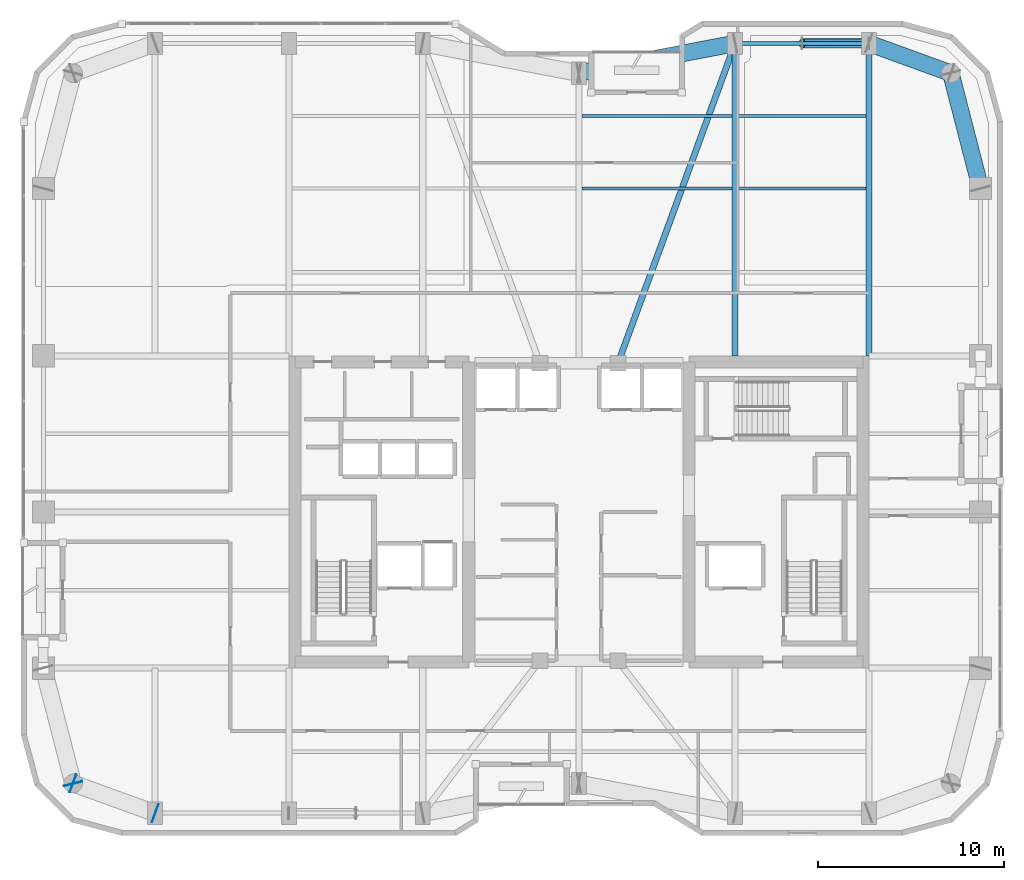
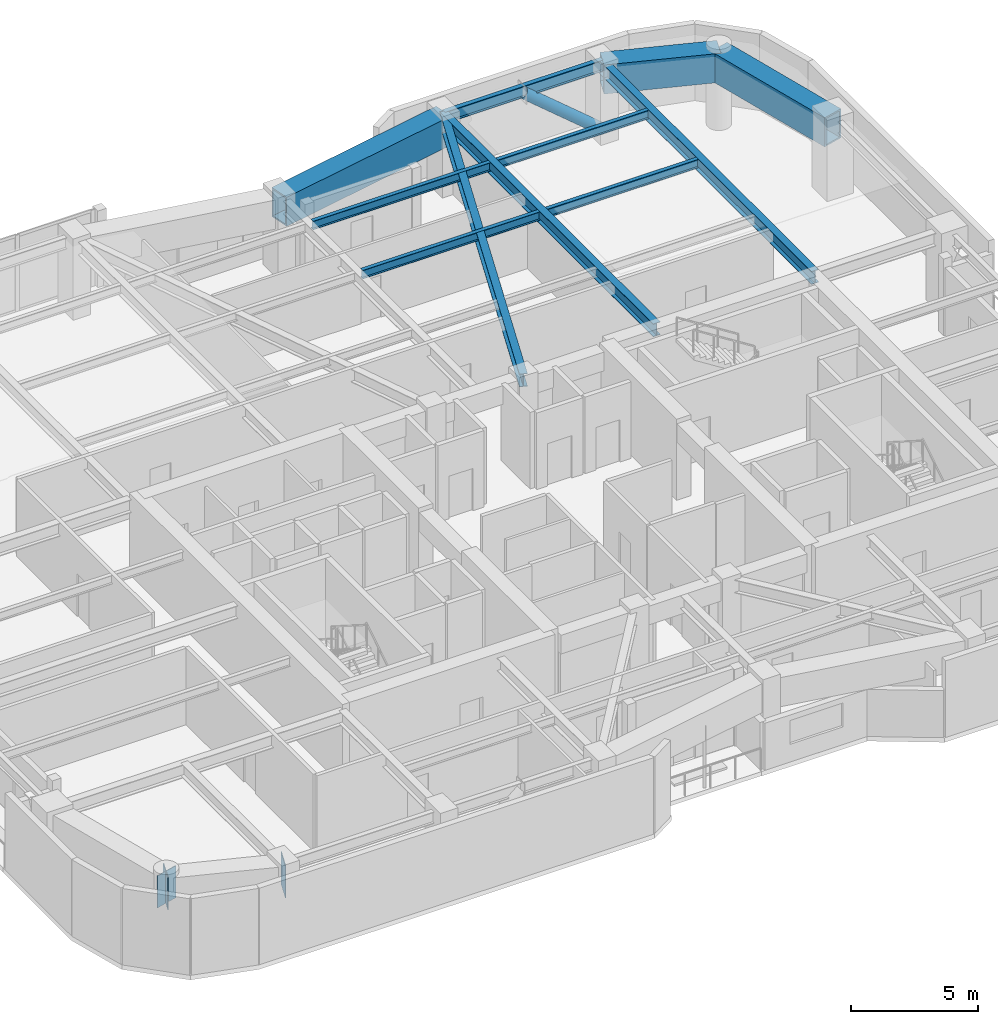
# One storey, part 20 of 30: 11 beams, 3 plates, 1 member.
"""IFC4 building model written with IfcOpenShell, lengths in metres."""

from ifc_helpers import new_model, si_unit, direction, frame, origin, origin_2d, place, context, subcontext, project, spatial, rectangle, hollow_rectangle, hollow_circle, i_section, extrude, material, layer, layer_set, material_profile, profile_set, type_object, element, save


model = new_model("IFC4")

# Units and contexts
model_context = context("Model", 3, precision=1e-05, world=origin(), true_north=direction((0.0, 1.0)))
body_context = subcontext(model_context, "Body", "Model", "MODEL_VIEW")
ifc_project = project(units=[si_unit("LENGTHUNIT", "METRE"), si_unit("AREAUNIT", "SQUARE_METRE"), si_unit("VOLUMEUNIT", "CUBIC_METRE"), si_unit("PLANEANGLEUNIT", "RADIAN"), si_unit("MASSUNIT", "GRAM", prefix="KILO")], contexts=[model_context])

# Site, building, storey
site_placement = place(None, origin())
site = spatial("IfcSite", under=ifc_project, at=site_placement, CompositionType="ELEMENT")
building_placement = place(site_placement, origin())
building = spatial("IfcBuilding", under=site, at=building_placement, Name="Kiyonajd Concourse Tower", CompositionType="ELEMENT")
storey_placement = place(building_placement, frame((0.0, 0.0, 198.0)))
storey = spatial("IfcBuildingStorey", under=building, at=storey_placement, Name="L50", CompositionType="ELEMENT", Elevation=198.0)

# Beams
ifc_material_1 = material(Name="Steel ASTM A992 Grade 50", Category="steel")
ifc_material_profile_1 = material_profile(ifc_material_1, i_section(OverallWidth=0.180908203125, OverallDepth=0.4169921875, WebThickness=0.010986328125, FlangeThickness=0.018310546875, at=origin_2d()), Name="W410X85")
ifc_profile_set_1 = profile_set([ifc_material_profile_1], Name="Steel ASTM A992 Grade 50")
beam_type_1 = type_object("IfcBeamType", Name="BM-JST-410", PredefinedType="JOIST", material=ifc_profile_set_1)
beam_1_placement = place(storey_placement, frame((48.16357421875, 53.39990234375, 3.471435546875), z_axis=(1.0, 0.0, 0.0), x_axis=(0.0, 1.0, 0.0)))
element("IfcBeam", 1, at=beam_1_placement, inside=storey, type_object=beam_type_1, Name="L50 Secondary Floor Joist", PredefinedType="JOIST", context=body_context, shape_type="SweptSolid", body=[
    extrude(i_section(OverallWidth=0.180908203125, OverallDepth=0.4169921875, WebThickness=0.010986328125, FlangeThickness=0.018310546875, at=origin_2d()), origin(), (0.0, 0.0, 1.0), 8.072998046875),
])
beam_2_placement = place(storey_placement, frame((56.5634765625, 53.39990234375, 3.471435546875), z_axis=(1.0, 0.0, 0.0), x_axis=(0.0, 1.0, 0.0)))
element("IfcBeam", 2, at=beam_2_placement, inside=storey, type_object=beam_type_1, Name="L50 Secondary Floor Joist", PredefinedType="JOIST", context=body_context, shape_type="SweptSolid", body=[
    extrude(i_section(OverallWidth=0.180908203125, OverallDepth=0.4169921875, WebThickness=0.010986328125, FlangeThickness=0.018310546875, at=origin_2d()), origin(), (0.0, 0.0, 1.0), 6.873046875),
])
beam_3_placement = place(storey_placement, frame((48.16357421875, 57.300048828125, 3.471435546875), z_axis=(1.0, 0.0, 0.0), x_axis=(0.0, 1.0, 0.0)))
element("IfcBeam", 3, at=beam_3_placement, inside=storey, type_object=beam_type_1, Name="L50 Secondary Floor Joist", PredefinedType="JOIST", context=body_context, shape_type="SweptSolid", body=[
    extrude(i_section(OverallWidth=0.180908203125, OverallDepth=0.4169921875, WebThickness=0.010986328125, FlangeThickness=0.018310546875, at=origin_2d()), origin(), (0.0, 0.0, 1.0), 8.072998046875),
])
beam_4_placement = place(storey_placement, frame((56.5634765625, 57.300048828125, 3.471435546875), z_axis=(1.0, 0.0, 0.0), x_axis=(0.0, 1.0, 0.0)))
element("IfcBeam", 4, at=beam_4_placement, inside=storey, type_object=beam_type_1, Name="L50 Secondary Floor Joist", PredefinedType="JOIST", context=body_context, shape_type="SweptSolid", body=[
    extrude(i_section(OverallWidth=0.180908203125, OverallDepth=0.4169921875, WebThickness=0.010986328125, FlangeThickness=0.018310546875, at=origin_2d()), origin(), (0.0, 0.0, 1.0), 6.873046875),
])
ifc_material_profile_2 = material_profile(ifc_material_1, i_section(OverallWidth=0.214111328125, OverallDepth=0.549072265625, WebThickness=0.0146484375, FlangeThickness=0.023681640625, at=origin_2d()), Name="W530X138")
ifc_profile_set_2 = profile_set([ifc_material_profile_2], Name="Steel ASTM A992 Grade 50")
beam_type_2 = type_object("IfcBeamType", Name="BM-SPAN-530A", PredefinedType="SPANDREL", material=ifc_profile_set_2)
beam_5_placement = place(storey_placement, frame((63.60009765625, 61.199951171875, 3.405517578125), z_axis=(-1.0, 0.0, 0.0), x_axis=(0.0, -1.0, 0.0)))
element("IfcBeam", 5, at=beam_5_placement, inside=storey, type_object=beam_type_2, Name="L50 Perimeter Bundled Tube Spandrel", PredefinedType="SPANDREL", context=body_context, shape_type="SweptSolid", body=[
    extrude(i_section(OverallWidth=0.214111328125, OverallDepth=0.549072265625, WebThickness=0.0146484375, FlangeThickness=0.023681640625, at=origin_2d()), origin(), (0.0, 0.0, 1.0), 7.2001953125),
])
ifc_material_profile_3 = material_profile(ifc_material_1, i_section(OverallWidth=0.326904296875, OverallDepth=0.6220703125, WebThickness=0.015380859375, FlangeThickness=0.0244140625, at=origin_2d()), Name="W610X195")
ifc_profile_set_3 = profile_set([ifc_material_profile_3], Name="Steel ASTM A992 Grade 50")
beam_type_3 = type_object("IfcBeamType", Name="BM-TWR-610A", PredefinedType="BEAM", material=ifc_profile_set_3)
beam_6_placement = place(storey_placement, frame((50.10009765625, 44.0, 3.368896484375), z_axis=(0.343925269715, 0.938997022813, 0.0), x_axis=(-0.938997022813, 0.343925269715, 0.0)))
element("IfcBeam", 6, at=beam_6_placement, inside=storey, type_object=beam_type_3, Name="L50 Core Tie Girder", PredefinedType="BEAM", context=body_context, shape_type="SweptSolid", body=[
    extrude(i_section(OverallWidth=0.326904296875, OverallDepth=0.6220703125, WebThickness=0.015380859375, FlangeThickness=0.0244140625, at=origin_2d()), origin(), (0.0, 0.0, 1.0), 18.3173828125),
])
for number, where, z_axis, x_axis, name in (
    (7, (56.39990234375, 44.39990234375, 3.368896484375), (0.0, 1.0, 0.0), (-1.0, 0.0, 0.0), "L50 North Lease Girder"),
    (8, (63.60009765625, 44.39990234375, 3.368896484375), (0.0, 1.0, 0.0), (-1.0, 0.0, 0.0), "L50 North Lease Girder"),
):
    element("IfcBeam", number, at=place(storey_placement, frame(where, z_axis=z_axis, x_axis=x_axis)), inside=storey, type_object=beam_type_3, Name=name, PredefinedType="BEAM", context=body_context, shape_type="SweptSolid", body=[
        extrude(i_section(OverallWidth=0.326904296875, OverallDepth=0.6220703125, WebThickness=0.015380859375, FlangeThickness=0.0244140625, at=origin_2d()), origin(), (0.0, 0.0, 1.0), 16.800048828125),
    ])
ifc_material_2 = material(Name="Steel ASTM A572 Grade 50", Category="steel")
ifc_material_profile_4 = material_profile(ifc_material_2, hollow_rectangle(XDim=0.89990234375, YDim=1.39990234375, WallThickness=0.070068359375, at=origin_2d()), Name="BOX-1400x900x70")
ifc_profile_set_4 = profile_set([ifc_material_profile_4], Name="Steel ASTM A572 Grade 50")
beam_type_4 = type_object("IfcBeamType", Name="BM-XFER-1400", PredefinedType="BEAM", material=ifc_profile_set_4)
beam_7_placement = place(storey_placement, frame((69.60009765625, 53.39990234375, 2.97998046875), z_axis=(-0.249884937687, 0.968275538221, 0.0), x_axis=(-0.968275538221, -0.249884937687, 0.0)))
element("IfcBeam", 9, at=beam_7_placement, inside=storey, type_object=beam_type_4, Name="L50 Perimeter Bundled Tube Spandrel", PredefinedType="BEAM", context=body_context, shape_type="SweptSolid", body=[
    extrude(hollow_rectangle(XDim=0.89990234375, YDim=1.39990234375, WallThickness=0.070068359375, at=origin_2d()), origin(), (0.0, 0.0, 1.0), 6.4033203125),
])
beam_8_placement = place(storey_placement, frame((68.0, 59.60009765625, 2.97998046875), z_axis=(-0.939801036019, 0.341722127901, 0.0), x_axis=(-0.341722127901, -0.939801036019, 0.0)))
element("IfcBeam", 10, at=beam_8_placement, inside=storey, type_object=beam_type_4, Name="L50 Perimeter Bundled Tube Spandrel", PredefinedType="BEAM", context=body_context, shape_type="SweptSolid", body=[
    extrude(hollow_rectangle(XDim=0.89990234375, YDim=1.39990234375, WallThickness=0.070068359375, at=origin_2d()), origin(), (0.0, 0.0, 1.0), 4.681640625),
])
beam_9_placement = place(storey_placement, frame((56.39990234375, 61.199951171875, 2.97998046875), z_axis=(-0.982341315253, -0.187097675953, 0.0), x_axis=(0.187097675953, -0.982341315253, 0.0)))
element("IfcBeam", 11, at=beam_9_placement, inside=storey, type_object=beam_type_4, Name="L50 Perimeter Bundled Tube Spandrel", PredefinedType="BEAM", context=body_context, shape_type="SweptSolid", body=[
    extrude(hollow_rectangle(XDim=0.89990234375, YDim=1.39990234375, WallThickness=0.070068359375, at=origin_2d()), origin(), (0.0, 0.0, 1.0), 8.55078125),
])

# Member
ifc_material_3 = material(Name="Steel ASTM A500 Grade C", Category="steel")
ifc_material_profile_5 = material_profile(ifc_material_3, hollow_circle(Radius=0.25390625, WallThickness=0.02197265625, at=origin_2d()), Name="CHS-508x22")
ifc_profile_set_5 = profile_set([ifc_material_profile_5], Name="Steel ASTM A500 Grade C")
member_type = type_object("IfcMemberType", Name="MB-PB-MID", PredefinedType="BRACE", material=ifc_profile_set_5)
member_placement = place(storey_placement, frame((63.60009765625, 61.199951171875, 0.300048828125), z_axis=(-0.765082043761, 0.0, 0.643932811957), x_axis=(0.0, -1.0, 0.0)))
element("IfcMember", 12, at=member_placement, inside=storey, type_object=member_type, Name="L50 Upper Zone Hollow Tube Brace PBN", PredefinedType="BRACE", context=body_context, shape_type="SweptSolid", body=[
    extrude(hollow_circle(Radius=0.25390625, WallThickness=0.02197265625, at=origin_2d()), origin(), (0.0, 0.0, 1.0), 4.70556640625),
])

# Plates
ifc_layer = layer(ifc_material_2, 0.031982421875)
ifc_layer_set = layer_set([ifc_layer], Name="Steel ASTM A572 Grade 50")
plate_type = type_object("IfcPlateType", Name="PL-CAP-540", PredefinedType="USERDEFINED", material=ifc_layer_set)
for number, where, z_axis, x_axis, name in (
    (13, (20.802734375, 21.389404296875, 2.2099609375), (0.0, 0.0, 1.0), (0.249873048837, -0.968278606324, 0.0), "L50 Welded Box Girder End Cap"),
    (14, (20.789794921875, 21.40380859375, 2.2099609375), (0.0, 0.0, 1.0), (-0.939811951086, 0.341692107891, 0.0), "L50 Welded Box Girder End Cap"),
    (15, (25.210205078125, 19.796142578125, 2.2099609375), (0.0, 0.0, 1.0), (0.939811951086, -0.341692107891, 0.0), "L50 Welded Box Girder End Cap"),
):
    element("IfcPlate", number, at=place(storey_placement, frame(where, z_axis=z_axis, x_axis=x_axis)), inside=storey, type_object=plate_type, Name=name, ObjectType="CAP PLATE", PredefinedType="USERDEFINED", context=body_context, shape_type="SweptSolid", body=[
        extrude(rectangle(XDim=0.035888671875, YDim=1.02001953125, at=origin_2d()), origin(), (0.0, 0.0, 1.0), 1.5400390625),
    ])

save(model, "model.ifc")
